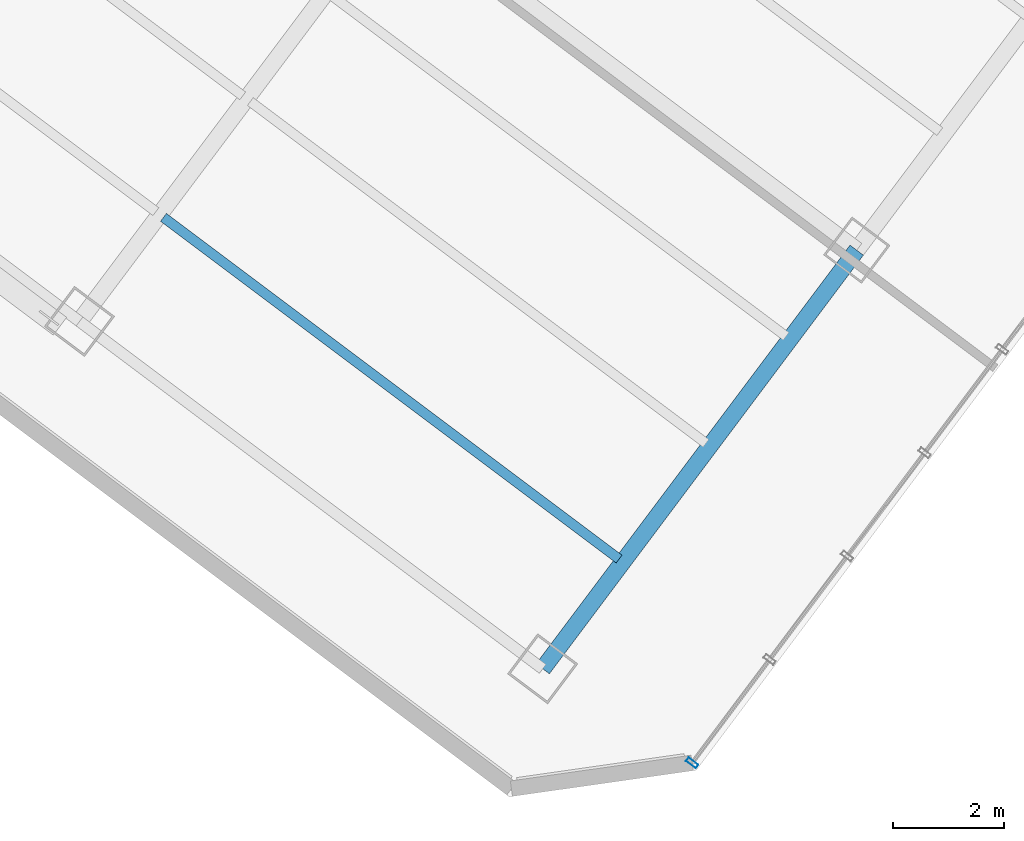
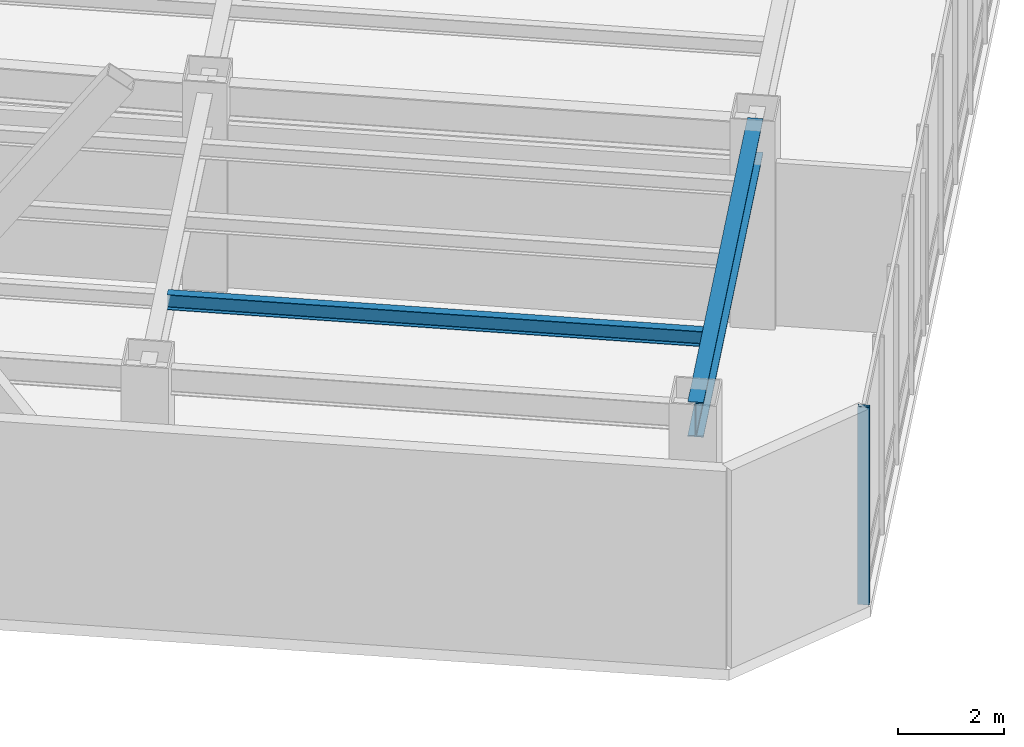
# One storey, part 5 of 27: 2 beams, 1 member, 1 element without a shape of its own.
"""IFC4 building model written with IfcOpenShell, lengths in metres."""

import ifcopenshell
import ifcopenshell.guid

model = None  # the IFC model being written
_history = None  # IfcOwnerHistory: only IFC2X3 demands one
_inside = {}  # id of a spatial element -> (the spatial element, [elements in it])
_under = {}  # id of a project, library or spatial element -> (it, [spatial elements below it])
_declared = {}  # id of a project -> (the project, [libraries it declares])
_typed = {}  # id of a type object -> (the type object, [elements of that type])
_made_of = {}  # id of a material, layer set ... -> (it, [elements and type objects made of it])


def new_model(schema):
    """Start an empty IFC model of exactly this schema.

    Asked for "IFC4X3", IfcOpenShell would pick the latest addendum, in which some entities
    have other attributes; the version numbers below select the first issue.
    IFC2X3 requires an IfcOwnerHistory on every rooted entity: one is made here for all.
    """
    global model, _history
    if schema == "IFC4X3":
        model = ifcopenshell.file(schema_version=(4, 3, 0, 0))
    else:
        model = ifcopenshell.file(schema=schema)
    _inside.clear()
    _under.clear()
    _declared.clear()
    _typed.clear()
    _made_of.clear()
    _history = None
    if model.schema == "IFC2X3":
        org = make("IfcOrganization", Name="unknown")
        user = make(
            "IfcPersonAndOrganization",
            ThePerson=make("IfcPerson", FamilyName="unknown"),
            TheOrganization=org,
        )
        app = make(
            "IfcApplication",
            ApplicationDeveloper=org,
            Version="unknown",
            ApplicationFullName="unknown",
            ApplicationIdentifier="unknown",
        )
        _history = make(
            "IfcOwnerHistory",
            OwningUser=user,
            OwningApplication=app,
            ChangeAction="ADDED",
            CreationDate=0,
        )
    return model


def make(cls, **values):
    """One entity of the class cls with the attributes given. An attribute that is None is left unset."""
    return model.create_entity(
        cls, **{name: value for name, value in values.items() if value is not None}
    )


def rooted(cls, **values):
    """An entity with a GlobalId (a new one), such as an element, a storey or a relation."""
    return make(cls, GlobalId=ifcopenshell.guid.new(), OwnerHistory=_history, **values)


def si_unit(unit_type, name, prefix=None):
    """IfcSIUnit, for example si_unit("LENGTHUNIT", "METRE", prefix="MILLI")."""
    return make("IfcSIUnit", UnitType=unit_type, Prefix=prefix, Name=name)


def assignment(units):
    """IfcUnitAssignment: the units of a project."""
    return None if units is None else make("IfcUnitAssignment", Units=units)


def point(xyz):
    """IfcCartesianPoint."""
    return None if xyz is None else make("IfcCartesianPoint", Coordinates=xyz)


def direction(xyz):
    """IfcDirection."""
    return None if xyz is None else make("IfcDirection", DirectionRatios=xyz)


def frame(location, z_axis=None, x_axis=None):
    """IfcAxis2Placement3D, a coordinate frame: its origin and axes. An axis left out is left unset."""
    return make(
        "IfcAxis2Placement3D",
        Location=point(location),
        Axis=direction(z_axis),
        RefDirection=direction(x_axis),
    )


def frame_2d(location, x_axis=None):
    """IfcAxis2Placement2D, a coordinate frame in the plane: its origin and x axis."""
    return make(
        "IfcAxis2Placement2D", Location=point(location), RefDirection=direction(x_axis)
    )


def origin():
    """The frame at (0, 0, 0) with its axes left unset."""
    return frame((0.0, 0.0, 0.0))


def origin_2d():
    """The frame at (0, 0) in the plane with its x axis left unset."""
    return frame_2d((0.0, 0.0))


def place(relative_to, where):
    """IfcLocalPlacement: puts the frame where relative to a parent placement (None: the world)."""
    return make(
        "IfcLocalPlacement", PlacementRelTo=relative_to, RelativePlacement=where
    )


def context(
    kind, dimensions, precision=None, world=None, true_north=None, identifier=None
):
    """IfcGeometricRepresentationContext, for example the 3D "Model" context."""
    return make(
        "IfcGeometricRepresentationContext",
        ContextIdentifier=identifier,
        ContextType=kind,
        CoordinateSpaceDimension=dimensions,
        Precision=precision,
        WorldCoordinateSystem=world,
        TrueNorth=true_north,
    )


def subcontext(parent, identifier, kind, view, scale=None):
    """IfcGeometricRepresentationSubContext, for example "Body" below "Model"."""
    return make(
        "IfcGeometricRepresentationSubContext",
        ContextIdentifier=identifier,
        ContextType=kind,
        ParentContext=parent,
        TargetScale=scale,
        TargetView=view,
    )


def project(units=None, contexts=None):
    """IfcProject with its units and contexts."""
    return rooted(
        "IfcProject",
        Name="project",
        RepresentationContexts=contexts,
        UnitsInContext=assignment(units),
    )


def spatial(cls, under=None, at=None, **own):
    """A site, building, storey or space (cls), placed at a placement, below another one or the project."""
    s = rooted(cls, ObjectPlacement=at, **own)
    if under is not None:
        _under.setdefault(under.id(), (under, []))[1].append(s)
    return s


def profile(cls, at=None, kind="AREA", **sizes):
    """A parametric profile (cls). Its sizes go by their IFC names, for example OverallWidth=200.0."""
    return make(cls, ProfileType=kind, Position=at, **sizes)


def hollow_rectangle(**sizes):
    """IfcRectangleHollowProfileDef."""
    return profile("IfcRectangleHollowProfileDef", **sizes)


def i_section(**sizes):
    """IfcIShapeProfileDef."""
    return profile("IfcIShapeProfileDef", **sizes)


def extrude(swept, where, along, depth):
    """IfcExtrudedAreaSolid: the profile swept, set in the frame where, extruded along a direction by depth."""
    return make(
        "IfcExtrudedAreaSolid",
        SweptArea=swept,
        Position=where,
        ExtrudedDirection=direction(along),
        Depth=depth,
    )


def shape(context_of_items, identifier, shape_type, items):
    """IfcShapeRepresentation: the items that make up one representation, for example the "Body"."""
    return make(
        "IfcShapeRepresentation",
        ContextOfItems=context_of_items,
        RepresentationIdentifier=identifier,
        RepresentationType=shape_type,
        Items=items,
    )


def material(Name=None, Category=None):
    """IfcMaterial."""
    return make("IfcMaterial", Name=Name, Category=Category)


def layer(
    of_material, thickness, ventilated=None, Name=None, Category=None, Priority=None
):
    """IfcMaterialLayer: one layer of a wall or slab, of a material (None: an air gap)."""
    return make(
        "IfcMaterialLayer",
        Material=of_material,
        LayerThickness=thickness,
        IsVentilated=ventilated,
        Name=Name,
        Category=Category,
        Priority=Priority,
    )


def layer_set(layers, Name=None):
    """IfcMaterialLayerSet."""
    return make("IfcMaterialLayerSet", MaterialLayers=layers, LayerSetName=Name)


def material_profile(
    of_material, cross_section, Name=None, Category=None, Priority=None
):
    """IfcMaterialProfile: a cross section and its material."""
    return make(
        "IfcMaterialProfile",
        Name=Name,
        Material=of_material,
        Profile=cross_section,
        Priority=Priority,
        Category=Category,
    )


def profile_set(profiles, Name=None, composite=None):
    """IfcMaterialProfileSet."""
    return make(
        "IfcMaterialProfileSet",
        Name=Name,
        MaterialProfiles=profiles,
        CompositeProfile=composite,
    )


def made_of(thing, what):
    """Note that an element or type object is made of a material, layer set ...; save() writes the relation."""
    if what is not None:
        _made_of.setdefault(what.id(), (what, []))[1].append(thing)
    return thing


def type_object(cls, material=None, **own):
    """A type object (cls), such as IfcWallType, which elements share."""
    return made_of(rooted(cls, **own), material)


def element(
    cls,
    number,
    at=None,
    inside=None,
    cuts=None,
    type_object=None,
    material=None,
    context=None,
    identifier="Body",
    shape_type=None,
    held_by="IfcProductDefinitionShape",
    body=None,
    shapes=None,
    **own,
):
    """One element of the class cls, such as IfcWall. Its Tag is "e" and its number.

    at: its placement. inside: the storey or other place that contains it. cuts: it is an
    opening in that element (IfcRelVoidsElement). A single representation is given by context,
    identifier, shape_type and body (its items); several are given by shapes. held_by: the class
    of the entity that holds the representations. save() writes the other relations.
    """
    e = rooted(cls, Tag="e%d" % number, ObjectPlacement=at, **own)
    if body is not None:
        shapes = [shape(context, identifier, shape_type, body)]
    if shapes is not None:
        e.Representation = make(held_by, Representations=shapes)
    if inside is not None:
        _inside.setdefault(inside.id(), (inside, []))[1].append(e)
    if cuts is not None:
        rooted(
            "IfcRelVoidsElement", RelatingBuildingElement=cuts, RelatedOpeningElement=e
        )
    if type_object is not None:
        _typed.setdefault(type_object.id(), (type_object, []))[1].append(e)
    return made_of(e, material)


def aggregate(whole, parts):
    """IfcRelAggregates: a whole, such as a stair, and the parts it consists of."""
    return rooted("IfcRelAggregates", RelatingObject=whole, RelatedObjects=parts)


def save(model, path):
    """Write the relations noted so far, then the file.

    IfcRelAggregates (storeys below a building ...), IfcRelContainedInSpatialStructure (elements
    in a storey), IfcRelDefinesByType, IfcRelAssociatesMaterial and IfcRelDeclares: one each for
    every whole, place, type object, material and project.
    """
    for whole, parts in _under.values():
        aggregate(whole, parts)
    for where, things in _inside.values():
        rooted(
            "IfcRelContainedInSpatialStructure",
            RelatedElements=things,
            RelatingStructure=where,
        )
    for kind, things in _typed.values():
        rooted("IfcRelDefinesByType", RelatedObjects=things, RelatingType=kind)
    for what, things in _made_of.values():
        rooted("IfcRelAssociatesMaterial", RelatedObjects=things, RelatingMaterial=what)
    for by, libraries in _declared.values():
        rooted("IfcRelDeclares", RelatingContext=by, RelatedDefinitions=libraries)
    model.write(path)


model = new_model("IFC4")

# Units and contexts
model_context = context("Model", 3, precision=1e-05, world=origin(), true_north=direction((0.0, 1.0)))
body_context = subcontext(model_context, "Body", "Model", "MODEL_VIEW")
ifc_project = project(units=[si_unit("LENGTHUNIT", "METRE"), si_unit("AREAUNIT", "SQUARE_METRE"), si_unit("VOLUMEUNIT", "CUBIC_METRE"), si_unit("PLANEANGLEUNIT", "RADIAN"), si_unit("MASSUNIT", "GRAM", prefix="KILO")], contexts=[model_context])

# Site, building, storey
site_placement = place(None, origin())
site = spatial("IfcSite", under=ifc_project, at=site_placement, CompositionType="ELEMENT")
building_placement = place(site_placement, origin())
building = spatial("IfcBuilding", under=site, at=building_placement, Name="Hatsunagi Terrace Concourse", CompositionType="ELEMENT")
storey_placement = place(building_placement, frame((0.0, 0.0, 96.449951171875)))
storey = spatial("IfcBuildingStorey", under=building, at=storey_placement, Name="L25", CompositionType="ELEMENT", Elevation=96.449951171875)

# Curtain wall, member
ifc_material_1 = material(Name="Anodised Aluminium Alloy 6063-T5", Category="aluminium")
ifc_layer = layer(ifc_material_1, 0.199951171875)
ifc_layer_set = layer_set([ifc_layer], Name="SkyLobbyAtrium_CW05")
curtain_wall_type = type_object("IfcCurtainWallType", Name="SkyLobbyAtrium_CW05", PredefinedType="NOTDEFINED", material=ifc_layer_set)
curtain_wall_placement = place(storey_placement, origin())
curtain_wall = element("IfcCurtainWall", 1, at=curtain_wall_placement, inside=storey, type_object=curtain_wall_type, Name="Unitised Curtain Wall CW-05 CW-L25-03", PredefinedType="NOTDEFINED")
ifc_material_2 = material(Name="Anodised Aluminium Alloy 6063-T5", Category="aluminium")
ifc_material_profile_1 = material_profile(ifc_material_2, hollow_rectangle(XDim=0.080078125, YDim=0.219970703125, WallThickness=0.0048828125, at=origin_2d()), Name="ALU-MUL-220x80x5")
ifc_profile_set_1 = profile_set([ifc_material_profile_1], Name="Anodised Aluminium Alloy 6063-T5")
member_type = type_object("IfcMemberType", Name="CurtainWallMullion_Heavy_220x80", PredefinedType="MULLION", material=ifc_profile_set_1)
member_placement = place(storey_placement, frame((56.56298828125, 2.949951171875, 0.0), z_axis=(0.0, 0.0, 1.0), x_axis=(-0.599969314634, -0.800023013105, 0.0)))
member = element("IfcMember", 2, at=member_placement, type_object=member_type, Name="Curtain Wall Mullion MUL-01", PredefinedType="MULLION", context=body_context, shape_type="SweptSolid", body=[
    extrude(hollow_rectangle(XDim=0.080078125, YDim=0.219970703125, WallThickness=0.0048828125, at=origin_2d()), origin(), (0.0, 0.0, 1.0), 4.550048828125),
])
aggregate(curtain_wall, [member])

# Beams
ifc_material_3 = material(Name="Steel SN490B", Category="steel")
ifc_material_profile_2 = material_profile(ifc_material_3, i_section(OverallWidth=0.175048828125, OverallDepth=0.35009765625, WebThickness=0.007080078125, FlangeThickness=0.010986328125, FilletRadius=0.012939453125, at=origin_2d()), Name="H-350x175x7x11")
ifc_profile_set_2 = profile_set([ifc_material_profile_2], Name="Steel SN490B")
beam_type_1 = type_object("IfcBeamType", Name="HotelJoist_H_350x175", PredefinedType="JOIST", material=ifc_profile_set_2)
beam_1_placement = place(storey_placement, frame((47.068115234375, 12.7490234375, 4.375), z_axis=(0.799997136125, -0.600003818481, 0.0), x_axis=(0.600003818481, 0.799997136125, 0.0)))
element("IfcBeam", 3, at=beam_1_placement, inside=storey, type_object=beam_type_1, Name="Beam J-02 J-L25-SE-3-46", PredefinedType="JOIST", context=body_context, shape_type="SweptSolid", body=[
    extrude(i_section(OverallWidth=0.175048828125, OverallDepth=0.35009765625, WebThickness=0.007080078125, FlangeThickness=0.010986328125, FilletRadius=0.012939453125, at=origin_2d()), origin(), (0.0, 0.0, 1.0), 10.229736328125),
])
ifc_material_4 = material(Name="Steel SN490B", Category="steel")
ifc_material_profile_3 = material_profile(ifc_material_4, i_section(OverallWidth=0.300048828125, OverallDepth=0.800048828125, WebThickness=0.013916015625, FlangeThickness=0.02587890625, FilletRadius=0.02197265625, at=origin_2d()), Name="H-800x300x14x26")
ifc_profile_set_3 = profile_set([ifc_material_profile_3], Name="Steel SN490B")
beam_type_2 = type_object("IfcBeamType", Name="SkyLobbyGirder_H_800x300", PredefinedType="BEAM", material=ifc_profile_set_3)
beam_2_placement = place(storey_placement, frame((53.8798828125, 4.639892578125, 4.150146484375), z_axis=(0.600008311051, 0.799993766644, 0.0), x_axis=(-0.799993766644, 0.600008311051, 0.0)))
element("IfcBeam", 4, at=beam_2_placement, inside=storey, type_object=beam_type_2, Name="Beam G-03 BM-L25-SET-3A", PredefinedType="BEAM", context=body_context, shape_type="SweptSolid", body=[
    extrude(i_section(OverallWidth=0.300048828125, OverallDepth=0.800048828125, WebThickness=0.013916015625, FlangeThickness=0.02587890625, FilletRadius=0.02197265625, at=origin_2d()), origin(), (0.0, 0.0, 1.0), 9.400146484375),
])

save(model, "model.ifc")
